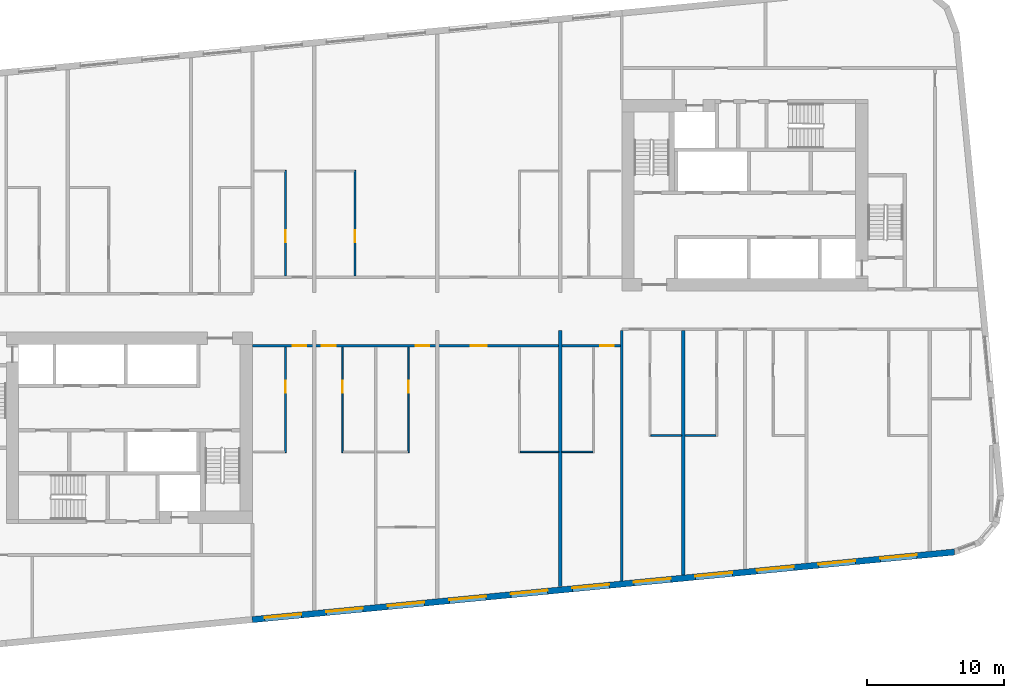
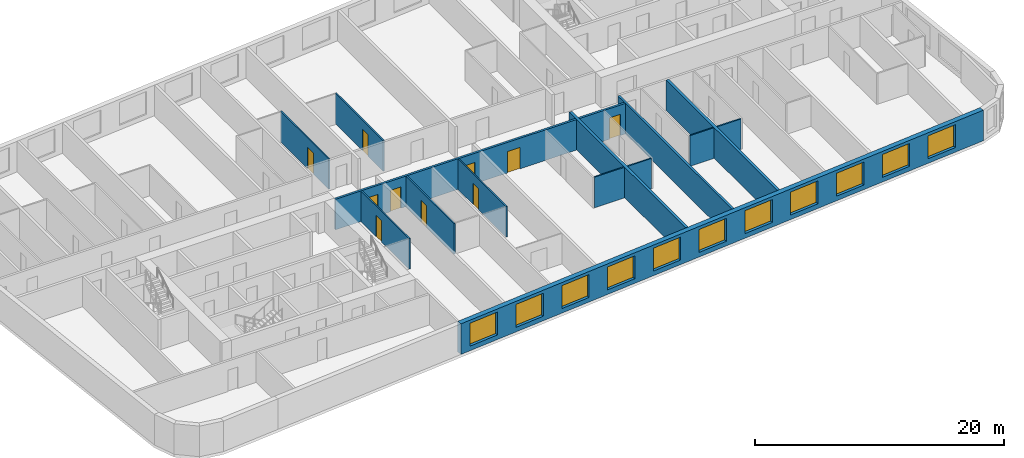
# One storey, part 4 of 12: 14 walls, 11 windows, 10 doors, 21 openings.
"""IFC4 building model written with IfcOpenShell, lengths in metres."""

from ifc_helpers import new_model, si_unit, direction, frame, frame_2d, origin, place, context, subcontext, project, spatial, rectangle, extrude, material, layer, layer_set, type_object, element, fill, save


model = new_model("IFC4")

# Units and contexts
model_context = context("Model", 3, precision=1e-05, world=origin(), true_north=direction((0.0, 1.0)))
body_context = subcontext(model_context, "Body", "Model", "MODEL_VIEW")
ifc_project = project(units=[si_unit("LENGTHUNIT", "METRE"), si_unit("AREAUNIT", "SQUARE_METRE"), si_unit("VOLUMEUNIT", "CUBIC_METRE"), si_unit("PLANEANGLEUNIT", "RADIAN"), si_unit("MASSUNIT", "GRAM", prefix="KILO")], contexts=[model_context])

# Site, building, storey
site_placement = place(None, origin())
site = spatial("IfcSite", under=ifc_project, at=site_placement, CompositionType="ELEMENT")
building_placement = place(site_placement, origin())
building = spatial("IfcBuilding", under=site, at=building_placement, Name="Kajstack Hotel Tower", CompositionType="ELEMENT")
storey_placement = place(building_placement, frame((0.0, 0.0, 203.199951171875)))
storey = spatial("IfcBuildingStorey", under=building, at=storey_placement, Name="L49", CompositionType="ELEMENT", Elevation=203.199951171875)

# Wall, openings, doors
ifc_material_1 = material(Name="Gypsum board on steel studs, mineral wool", Category="steel")
ifc_layer_1 = layer(ifc_material_1, 0.199951171875)
ifc_layer_set_1 = layer_set([ifc_layer_1], Name="Corridor wall 200")
wall_type_1 = type_object("IfcWallType", Name="Corridor wall 200", PredefinedType="PARTITIONING", material=ifc_layer_set_1)
wall_1_placement = place(storey_placement, frame((-13.5, -2.5, 0.0), z_axis=(0.0, 0.0, 1.0), x_axis=(1.0, 0.0, 0.0)))
wall_1 = element("IfcWall", 1, at=wall_1_placement, inside=storey, type_object=wall_type_1, Name="G-wall-L49-028", PredefinedType="PARTITIONING", context=body_context, shape_type="SweptSolid", body=[
    extrude(rectangle(XDim=27.0, YDim=0.199951171875, at=frame_2d((13.5, 0.0))), origin(), (0.0, 0.0, 1.0), 3.0),
])
opening_1_placement = place(wall_1_placement, frame((2.925048828125, 0.0, 0.0)))
opening_1 = element("IfcOpeningElement", 2, at=opening_1_placement, cuts=wall_1, Name="Opening 49021", PredefinedType="OPENING", context=body_context, shape_type="SweptSolid", body=[
    extrude(rectangle(XDim=1.0, YDim=2.10009765625, at=frame_2d((0.5, 1.050048828125))), frame((0.0, 0.10986328125, 0.0), z_axis=(0.0, -1.0, 0.0), x_axis=(1.0, 0.0, 0.0)), (0.0, 0.0, 1.0), 0.219970703125),
])
opening_2_placement = place(wall_1_placement, frame((5.074951171875, 0.0, 0.0)))
opening_2 = element("IfcOpeningElement", 3, at=opening_2_placement, cuts=wall_1, Name="Opening 49023", PredefinedType="OPENING", context=body_context, shape_type="SweptSolid", body=[
    extrude(rectangle(XDim=1.0, YDim=2.10009765625, at=frame_2d((0.5, 1.050048828125))), frame((0.0, 0.10986328125, 0.0), z_axis=(0.0, -1.0, 0.0), x_axis=(1.0, 0.0, 0.0)), (0.0, 0.0, 1.0), 0.219970703125),
])
opening_3_placement = place(wall_1_placement, frame((11.925048828125, 0.0, 0.0)))
opening_3 = element("IfcOpeningElement", 4, at=opening_3_placement, cuts=wall_1, Name="Opening 49025", PredefinedType="OPENING", context=body_context, shape_type="SweptSolid", body=[
    extrude(rectangle(XDim=1.0, YDim=2.10009765625, at=frame_2d((0.5, 1.050048828125))), frame((0.0, 0.10986328125, 0.0), z_axis=(0.0, -1.0, 0.0), x_axis=(1.0, 0.0, 0.0)), (0.0, 0.0, 1.0), 0.219970703125),
])
opening_4_placement = place(wall_1_placement, frame((15.93798828125, 0.0, 0.0)))
opening_4 = element("IfcOpeningElement", 5, at=opening_4_placement, cuts=wall_1, Name="Opening 49028", PredefinedType="OPENING", context=body_context, shape_type="SweptSolid", body=[
    extrude(rectangle(XDim=1.199951171875, YDim=2.10009765625, at=frame_2d((0.60009765625, 1.050048828125))), frame((0.0, 0.10986328125, 0.0), z_axis=(0.0, -1.0, 0.0), x_axis=(1.0, 0.0, 0.0)), (0.0, 0.0, 1.0), 0.219970703125),
])
opening_5_placement = place(wall_1_placement, frame((25.425048828125, 0.0, 0.0)))
opening_5 = element("IfcOpeningElement", 6, at=opening_5_placement, cuts=wall_1, Name="Opening 49030", PredefinedType="OPENING", context=body_context, shape_type="SweptSolid", body=[
    extrude(rectangle(XDim=1.0, YDim=2.10009765625, at=frame_2d((0.5, 1.050048828125))), frame((0.0, 0.10986328125, 0.0), z_axis=(0.0, -1.0, 0.0), x_axis=(1.0, 0.0, 0.0)), (0.0, 0.0, 1.0), 0.219970703125),
])
ifc_material_2 = material(Name="Oak veneer on timber core, fire-rated leaf", Category="wood")
door_type_1 = type_object("IfcDoorType", Name="Flat entrance door 1000", OperationType="SINGLE_SWING_LEFT", PredefinedType="DOOR", material=ifc_material_2)
door_1_placement = place(opening_1_placement, origin())
door_1 = element("IfcDoor", 7, at=door_1_placement, inside=storey, type_object=door_type_1, Name="G-door-L49-21", OperationType="SINGLE_SWING_LEFT", OverallHeight=2.10009765625, OverallWidth=1.0, PredefinedType="DOOR", context=body_context, shape_type="SweptSolid", body=[
    extrude(rectangle(XDim=1.0, YDim=2.10009765625, at=frame_2d((0.5, 1.050048828125))), frame((0.0, 0.02490234375, 0.0), z_axis=(0.0, -1.0, 0.0), x_axis=(1.0, 0.0, 0.0)), (0.0, 0.0, 1.0), 0.050048828125),
])
fill(opening_1, door_1)
door_2_placement = place(opening_2_placement, origin())
door_2 = element("IfcDoor", 8, at=door_2_placement, inside=storey, type_object=door_type_1, Name="G-door-L49-23", OperationType="SINGLE_SWING_RIGHT", OverallHeight=2.10009765625, OverallWidth=1.0, PredefinedType="DOOR", context=body_context, shape_type="SweptSolid", body=[
    extrude(rectangle(XDim=1.0, YDim=2.10009765625, at=frame_2d((0.5, 1.050048828125))), frame((0.0, 0.02490234375, 0.0), z_axis=(0.0, -1.0, 0.0), x_axis=(1.0, 0.0, 0.0)), (0.0, 0.0, 1.0), 0.050048828125),
])
fill(opening_2, door_2)
door_3_placement = place(opening_3_placement, origin())
door_3 = element("IfcDoor", 9, at=door_3_placement, inside=storey, type_object=door_type_1, Name="G-door-L49-25", OperationType="SINGLE_SWING_RIGHT", OverallHeight=2.10009765625, OverallWidth=1.0, PredefinedType="DOOR", context=body_context, shape_type="SweptSolid", body=[
    extrude(rectangle(XDim=1.0, YDim=2.10009765625, at=frame_2d((0.5, 1.050048828125))), frame((0.0, 0.02490234375, 0.0), z_axis=(0.0, -1.0, 0.0), x_axis=(1.0, 0.0, 0.0)), (0.0, 0.0, 1.0), 0.050048828125),
])
fill(opening_3, door_3)
door_4_placement = place(opening_5_placement, origin())
door_4 = element("IfcDoor", 10, at=door_4_placement, inside=storey, type_object=door_type_1, Name="G-door-L49-30", OperationType="SINGLE_SWING_RIGHT", OverallHeight=2.10009765625, OverallWidth=1.0, PredefinedType="DOOR", context=body_context, shape_type="SweptSolid", body=[
    extrude(rectangle(XDim=1.0, YDim=2.10009765625, at=frame_2d((0.5, 1.050048828125))), frame((0.0, 0.02490234375, 0.0), z_axis=(0.0, -1.0, 0.0), x_axis=(1.0, 0.0, 0.0)), (0.0, 0.0, 1.0), 0.050048828125),
])
fill(opening_5, door_4)
door_type_2 = type_object("IfcDoorType", Name="Flat entrance door 1200", OperationType="SINGLE_SWING_LEFT", PredefinedType="DOOR", material=ifc_material_2)
door_5_placement = place(opening_4_placement, origin())
door_5 = element("IfcDoor", 11, at=door_5_placement, inside=storey, type_object=door_type_2, Name="G-door-L49-28", OperationType="SINGLE_SWING_RIGHT", OverallHeight=2.10009765625, OverallWidth=1.199951171875, PredefinedType="DOOR", context=body_context, shape_type="SweptSolid", body=[
    extrude(rectangle(XDim=1.199951171875, YDim=2.10009765625, at=frame_2d((0.60009765625, 1.050048828125))), frame((0.0, 0.02490234375, 0.0), z_axis=(0.0, -1.0, 0.0), x_axis=(1.0, 0.0, 0.0)), (0.0, 0.0, 1.0), 0.050048828125),
])
fill(opening_4, door_5)

# Wall
ifc_material_3 = material(Name="Twin-frame gypsum board on steel studs, mineral wool", Category="steel")
ifc_layer_2 = layer(ifc_material_3, 0.199951171875)
ifc_layer_set_2 = layer_set([ifc_layer_2], Name="Demising wall 200")
wall_type_2 = type_object("IfcWallType", Name="Demising wall 200", PredefinedType="PARTITIONING", material=ifc_layer_set_2)
wall_2_placement = place(storey_placement, frame((13.5, -19.700927734375, 0.0), z_axis=(0.0, 0.0, 1.0), x_axis=(0.0, 1.0, 0.0)))
element("IfcWall", 12, at=wall_2_placement, inside=storey, type_object=wall_type_2, Name="G-wall-L49-040", PredefinedType="PARTITIONING", context=body_context, shape_type="SweptSolid", body=[
    extrude(rectangle(XDim=18.301025390625, YDim=0.199951171875, at=frame_2d((9.150390625, 0.0))), origin(), (0.0, 0.0, 1.0), 3.0),
])

# Wall, openings, windows
ifc_material_4 = material(Name="Terracotta-faced brick masonry", Category="masonry")
ifc_layer_3 = layer(ifc_material_4, 0.449951171875)
ifc_layer_set_3 = layer_set([ifc_layer_3], Name="EW-TERRA")
wall_type_3 = type_object("IfcWallType", Name="EW-TERRA", PredefinedType="SOLIDWALL", material=ifc_layer_set_3)
wall_3_placement = place(storey_placement, frame((-13.521484375, -22.528564453125, 0.0), z_axis=(0.0, 0.0, 1.0), x_axis=(0.995396436651, 0.095843277819, 0.0)))
wall_3 = element("IfcWall", 13, at=wall_3_placement, inside=storey, type_object=wall_type_3, Name="E-wall-L49-04-02", PredefinedType="SOLIDWALL", context=body_context, shape_type="SweptSolid", body=[
    extrude(rectangle(XDim=51.57763671875, YDim=0.449951171875, at=frame_2d((25.788818359375, 0.0))), origin(), (0.0, 0.0, 1.0), 3.0),
])
opening_6_placement = place(wall_3_placement, frame((0.910400390625, 0.0, 0.449951171875)))
opening_6 = element("IfcOpeningElement", 14, at=opening_6_placement, cuts=wall_3, Name="Opening W1", PredefinedType="OPENING", context=body_context, shape_type="SweptSolid", body=[
    extrude(rectangle(XDim=2.699951171875, YDim=2.25, at=frame_2d((1.35009765625, 1.125))), frame((0.0, 0.23486328125, 0.0), z_axis=(0.0, -1.0, 0.0), x_axis=(1.0, 0.0, 0.0)), (0.0, 0.0, 1.0), 0.469970703125),
])
opening_7_placement = place(wall_3_placement, frame((5.431396484375, 0.0, 0.449951171875)))
opening_7 = element("IfcOpeningElement", 15, at=opening_7_placement, cuts=wall_3, Name="Opening W1", PredefinedType="OPENING", context=body_context, shape_type="SweptSolid", body=[
    extrude(rectangle(XDim=2.699951171875, YDim=2.25, at=frame_2d((1.35009765625, 1.125))), frame((0.0, 0.23486328125, 0.0), z_axis=(0.0, -1.0, 0.0), x_axis=(1.0, 0.0, 0.0)), (0.0, 0.0, 1.0), 0.469970703125),
])
opening_8_placement = place(wall_3_placement, frame((9.9521484375, 0.0, 0.449951171875)))
opening_8 = element("IfcOpeningElement", 16, at=opening_8_placement, cuts=wall_3, Name="Opening W1", PredefinedType="OPENING", context=body_context, shape_type="SweptSolid", body=[
    extrude(rectangle(XDim=2.699951171875, YDim=2.25, at=frame_2d((1.35009765625, 1.125))), frame((0.0, 0.23486328125, 0.0), z_axis=(0.0, -1.0, 0.0), x_axis=(1.0, 0.0, 0.0)), (0.0, 0.0, 1.0), 0.469970703125),
])
opening_9_placement = place(wall_3_placement, frame((14.472900390625, 0.0, 0.449951171875)))
opening_9 = element("IfcOpeningElement", 17, at=opening_9_placement, cuts=wall_3, Name="Opening W1", PredefinedType="OPENING", context=body_context, shape_type="SweptSolid", body=[
    extrude(rectangle(XDim=2.699951171875, YDim=2.25, at=frame_2d((1.35009765625, 1.125))), frame((0.0, 0.23486328125, 0.0), z_axis=(0.0, -1.0, 0.0), x_axis=(1.0, 0.0, 0.0)), (0.0, 0.0, 1.0), 0.469970703125),
])
opening_10_placement = place(wall_3_placement, frame((18.99365234375, 0.0, 0.449951171875)))
opening_10 = element("IfcOpeningElement", 18, at=opening_10_placement, cuts=wall_3, Name="Opening W1", PredefinedType="OPENING", context=body_context, shape_type="SweptSolid", body=[
    extrude(rectangle(XDim=2.699951171875, YDim=2.25, at=frame_2d((1.35009765625, 1.125))), frame((0.0, 0.23486328125, 0.0), z_axis=(0.0, -1.0, 0.0), x_axis=(1.0, 0.0, 0.0)), (0.0, 0.0, 1.0), 0.469970703125),
])
opening_11_placement = place(wall_3_placement, frame((23.514404296875, 0.0, 0.449951171875)))
opening_11 = element("IfcOpeningElement", 19, at=opening_11_placement, cuts=wall_3, Name="Opening W1", PredefinedType="OPENING", context=body_context, shape_type="SweptSolid", body=[
    extrude(rectangle(XDim=2.699951171875, YDim=2.25, at=frame_2d((1.35009765625, 1.125))), frame((0.0, 0.23486328125, 0.0), z_axis=(0.0, -1.0, 0.0), x_axis=(1.0, 0.0, 0.0)), (0.0, 0.0, 1.0), 0.469970703125),
])
opening_12_placement = place(wall_3_placement, frame((28.035400390625, 0.0, 0.449951171875)))
opening_12 = element("IfcOpeningElement", 20, at=opening_12_placement, cuts=wall_3, Name="Opening W1", PredefinedType="OPENING", context=body_context, shape_type="SweptSolid", body=[
    extrude(rectangle(XDim=2.699951171875, YDim=2.25, at=frame_2d((1.35009765625, 1.125))), frame((0.0, 0.23486328125, 0.0), z_axis=(0.0, -1.0, 0.0), x_axis=(1.0, 0.0, 0.0)), (0.0, 0.0, 1.0), 0.469970703125),
])
opening_13_placement = place(wall_3_placement, frame((32.55615234375, 0.0, 0.449951171875)))
opening_13 = element("IfcOpeningElement", 21, at=opening_13_placement, cuts=wall_3, Name="Opening W1", PredefinedType="OPENING", context=body_context, shape_type="SweptSolid", body=[
    extrude(rectangle(XDim=2.699951171875, YDim=2.25, at=frame_2d((1.35009765625, 1.125))), frame((0.0, 0.23486328125, 0.0), z_axis=(0.0, -1.0, 0.0), x_axis=(1.0, 0.0, 0.0)), (0.0, 0.0, 1.0), 0.469970703125),
])
opening_14_placement = place(wall_3_placement, frame((37.076904296875, 0.0, 0.449951171875)))
opening_14 = element("IfcOpeningElement", 22, at=opening_14_placement, cuts=wall_3, Name="Opening W1", PredefinedType="OPENING", context=body_context, shape_type="SweptSolid", body=[
    extrude(rectangle(XDim=2.699951171875, YDim=2.25, at=frame_2d((1.35009765625, 1.125))), frame((0.0, 0.23486328125, 0.0), z_axis=(0.0, -1.0, 0.0), x_axis=(1.0, 0.0, 0.0)), (0.0, 0.0, 1.0), 0.469970703125),
])
opening_15_placement = place(wall_3_placement, frame((41.597900390625, 0.0, 0.449951171875)))
opening_15 = element("IfcOpeningElement", 23, at=opening_15_placement, cuts=wall_3, Name="Opening W1", PredefinedType="OPENING", context=body_context, shape_type="SweptSolid", body=[
    extrude(rectangle(XDim=2.699951171875, YDim=2.25, at=frame_2d((1.35009765625, 1.125))), frame((0.0, 0.23486328125, 0.0), z_axis=(0.0, -1.0, 0.0), x_axis=(1.0, 0.0, 0.0)), (0.0, 0.0, 1.0), 0.469970703125),
])
opening_16_placement = place(wall_3_placement, frame((46.11865234375, 0.0, 0.449951171875)))
opening_16 = element("IfcOpeningElement", 24, at=opening_16_placement, cuts=wall_3, Name="Opening W1", PredefinedType="OPENING", context=body_context, shape_type="SweptSolid", body=[
    extrude(rectangle(XDim=2.699951171875, YDim=2.25, at=frame_2d((1.35009765625, 1.125))), frame((0.0, 0.23486328125, 0.0), z_axis=(0.0, -1.0, 0.0), x_axis=(1.0, 0.0, 0.0)), (0.0, 0.0, 1.0), 0.469970703125),
])
ifc_material_5 = material(Name="Timber-aluminium window, triple glazed", Category="wood")
window_type = type_object("IfcWindowType", Name="WG1", PartitioningType="SINGLE_PANEL", PredefinedType="WINDOW", material=ifc_material_5)
window_1_placement = place(opening_6_placement, origin())
window_1 = element("IfcWindow", 25, at=window_1_placement, inside=storey, type_object=window_type, Name="Window W1 L49-04", OverallHeight=2.25, OverallWidth=2.699951171875, PartitioningType="SINGLE_PANEL", PredefinedType="WINDOW", context=body_context, shape_type="SweptSolid", body=[
    extrude(rectangle(XDim=2.699951171875, YDim=2.25, at=frame_2d((1.35009765625, 1.125))), frame((0.0, 0.090087890625, 0.0), z_axis=(0.0, -1.0, 0.0), x_axis=(1.0, 0.0, 0.0)), (0.0, 0.0, 1.0), 0.06005859375),
])
fill(opening_6, window_1)
window_2_placement = place(opening_7_placement, origin())
window_2 = element("IfcWindow", 26, at=window_2_placement, inside=storey, type_object=window_type, Name="Window W1 L49-04", OverallHeight=2.25, OverallWidth=2.699951171875, PartitioningType="SINGLE_PANEL", PredefinedType="WINDOW", context=body_context, shape_type="SweptSolid", body=[
    extrude(rectangle(XDim=2.699951171875, YDim=2.25, at=frame_2d((1.35009765625, 1.125))), frame((0.0, 0.090087890625, 0.0), z_axis=(0.0, -1.0, 0.0), x_axis=(1.0, 0.0, 0.0)), (0.0, 0.0, 1.0), 0.06005859375),
])
fill(opening_7, window_2)
window_3_placement = place(opening_8_placement, origin())
window_3 = element("IfcWindow", 27, at=window_3_placement, inside=storey, type_object=window_type, Name="Window W1 L49-04", OverallHeight=2.25, OverallWidth=2.699951171875, PartitioningType="SINGLE_PANEL", PredefinedType="WINDOW", context=body_context, shape_type="SweptSolid", body=[
    extrude(rectangle(XDim=2.699951171875, YDim=2.25, at=frame_2d((1.35009765625, 1.125))), frame((0.0, 0.090087890625, 0.0), z_axis=(0.0, -1.0, 0.0), x_axis=(1.0, 0.0, 0.0)), (0.0, 0.0, 1.0), 0.06005859375),
])
fill(opening_8, window_3)
window_4_placement = place(opening_9_placement, origin())
window_4 = element("IfcWindow", 28, at=window_4_placement, inside=storey, type_object=window_type, Name="Window W1 L49-04", OverallHeight=2.25, OverallWidth=2.699951171875, PartitioningType="SINGLE_PANEL", PredefinedType="WINDOW", context=body_context, shape_type="SweptSolid", body=[
    extrude(rectangle(XDim=2.699951171875, YDim=2.25, at=frame_2d((1.35009765625, 1.125))), frame((0.0, 0.090087890625, 0.0), z_axis=(0.0, -1.0, 0.0), x_axis=(1.0, 0.0, 0.0)), (0.0, 0.0, 1.0), 0.06005859375),
])
fill(opening_9, window_4)
window_5_placement = place(opening_10_placement, origin())
window_5 = element("IfcWindow", 29, at=window_5_placement, inside=storey, type_object=window_type, Name="Window W1 L49-04", OverallHeight=2.25, OverallWidth=2.699951171875, PartitioningType="SINGLE_PANEL", PredefinedType="WINDOW", context=body_context, shape_type="SweptSolid", body=[
    extrude(rectangle(XDim=2.699951171875, YDim=2.25, at=frame_2d((1.35009765625, 1.125))), frame((0.0, 0.090087890625, 0.0), z_axis=(0.0, -1.0, 0.0), x_axis=(1.0, 0.0, 0.0)), (0.0, 0.0, 1.0), 0.06005859375),
])
fill(opening_10, window_5)
window_6_placement = place(opening_11_placement, origin())
window_6 = element("IfcWindow", 30, at=window_6_placement, inside=storey, type_object=window_type, Name="Window W1 L49-04", OverallHeight=2.25, OverallWidth=2.699951171875, PartitioningType="SINGLE_PANEL", PredefinedType="WINDOW", context=body_context, shape_type="SweptSolid", body=[
    extrude(rectangle(XDim=2.699951171875, YDim=2.25, at=frame_2d((1.35009765625, 1.125))), frame((0.0, 0.090087890625, 0.0), z_axis=(0.0, -1.0, 0.0), x_axis=(1.0, 0.0, 0.0)), (0.0, 0.0, 1.0), 0.06005859375),
])
fill(opening_11, window_6)
window_7_placement = place(opening_12_placement, origin())
window_7 = element("IfcWindow", 31, at=window_7_placement, inside=storey, type_object=window_type, Name="Window W1 L49-04", OverallHeight=2.25, OverallWidth=2.699951171875, PartitioningType="SINGLE_PANEL", PredefinedType="WINDOW", context=body_context, shape_type="SweptSolid", body=[
    extrude(rectangle(XDim=2.699951171875, YDim=2.25, at=frame_2d((1.35009765625, 1.125))), frame((0.0, 0.090087890625, 0.0), z_axis=(0.0, -1.0, 0.0), x_axis=(1.0, 0.0, 0.0)), (0.0, 0.0, 1.0), 0.06005859375),
])
fill(opening_12, window_7)
window_8_placement = place(opening_13_placement, origin())
window_8 = element("IfcWindow", 32, at=window_8_placement, inside=storey, type_object=window_type, Name="Window W1 L49-04", OverallHeight=2.25, OverallWidth=2.699951171875, PartitioningType="SINGLE_PANEL", PredefinedType="WINDOW", context=body_context, shape_type="SweptSolid", body=[
    extrude(rectangle(XDim=2.699951171875, YDim=2.25, at=frame_2d((1.35009765625, 1.125))), frame((0.0, 0.090087890625, 0.0), z_axis=(0.0, -1.0, 0.0), x_axis=(1.0, 0.0, 0.0)), (0.0, 0.0, 1.0), 0.06005859375),
])
fill(opening_13, window_8)
window_9_placement = place(opening_14_placement, origin())
window_9 = element("IfcWindow", 33, at=window_9_placement, inside=storey, type_object=window_type, Name="Window W1 L49-04", OverallHeight=2.25, OverallWidth=2.699951171875, PartitioningType="SINGLE_PANEL", PredefinedType="WINDOW", context=body_context, shape_type="SweptSolid", body=[
    extrude(rectangle(XDim=2.699951171875, YDim=2.25, at=frame_2d((1.35009765625, 1.125))), frame((0.0, 0.090087890625, 0.0), z_axis=(0.0, -1.0, 0.0), x_axis=(1.0, 0.0, 0.0)), (0.0, 0.0, 1.0), 0.06005859375),
])
fill(opening_14, window_9)
window_10_placement = place(opening_15_placement, origin())
window_10 = element("IfcWindow", 34, at=window_10_placement, inside=storey, type_object=window_type, Name="Window W1 L49-04", OverallHeight=2.25, OverallWidth=2.699951171875, PartitioningType="SINGLE_PANEL", PredefinedType="WINDOW", context=body_context, shape_type="SweptSolid", body=[
    extrude(rectangle(XDim=2.699951171875, YDim=2.25, at=frame_2d((1.35009765625, 1.125))), frame((0.0, 0.090087890625, 0.0), z_axis=(0.0, -1.0, 0.0), x_axis=(1.0, 0.0, 0.0)), (0.0, 0.0, 1.0), 0.06005859375),
])
fill(opening_15, window_10)
window_11_placement = place(opening_16_placement, origin())
window_11 = element("IfcWindow", 35, at=window_11_placement, inside=storey, type_object=window_type, Name="Window W1 L49-04", OverallHeight=2.25, OverallWidth=2.699951171875, PartitioningType="SINGLE_PANEL", PredefinedType="WINDOW", context=body_context, shape_type="SweptSolid", body=[
    extrude(rectangle(XDim=2.699951171875, YDim=2.25, at=frame_2d((1.35009765625, 1.125))), frame((0.0, 0.090087890625, 0.0), z_axis=(0.0, -1.0, 0.0), x_axis=(1.0, 0.0, 0.0)), (0.0, 0.0, 1.0), 0.06005859375),
])
fill(opening_16, window_11)

# Wall, opening, door
ifc_material_6 = material(Name="Gypsum board and tiled backer on steel studs", Category="steel")
ifc_layer_4 = layer(ifc_material_6, 0.125)
ifc_layer_set_4 = layer_set([ifc_layer_4], Name="En-suite wall 125")
wall_type_4 = type_object("IfcWallType", Name="En-suite wall 125", PredefinedType="PARTITIONING", material=ifc_layer_set_4)
wall_4_placement = place(storey_placement, frame((-11.087890625, 2.60009765625, 0.0), z_axis=(0.0, 0.0, 1.0), x_axis=(0.0, 1.0, 0.0)))
wall_4 = element("IfcWall", 36, at=wall_4_placement, inside=storey, type_object=wall_type_4, Name="G-wall-L49-020", PredefinedType="PARTITIONING", context=body_context, shape_type="SweptSolid", body=[
    extrude(rectangle(XDim=7.724853515625, YDim=0.125, at=frame_2d((3.8623046875, 0.0))), origin(), (0.0, 0.0, 1.0), 3.0),
])
opening_17_placement = place(wall_4_placement, frame((2.449951171875, 0.0, 0.0)))
opening_17 = element("IfcOpeningElement", 37, at=opening_17_placement, cuts=wall_4, Name="Opening 49014", PredefinedType="OPENING", context=body_context, shape_type="SweptSolid", body=[
    extrude(rectangle(XDim=0.89990234375, YDim=2.10009765625, at=frame_2d((0.449951171875, 1.050048828125))), frame((0.0, 0.072509765625, 0.0), z_axis=(0.0, -1.0, 0.0), x_axis=(1.0, 0.0, 0.0)), (0.0, 0.0, 1.0), 0.14501953125),
])
ifc_material_7 = material(Name="Painted timber door leaf", Category="wood")
door_type_3 = type_object("IfcDoorType", Name="Room door 900", OperationType="SINGLE_SWING_LEFT", PredefinedType="DOOR", material=ifc_material_7)
door_6_placement = place(opening_17_placement, origin())
door_6 = element("IfcDoor", 38, at=door_6_placement, inside=storey, type_object=door_type_3, Name="G-door-L49-14", OperationType="SINGLE_SWING_RIGHT", OverallHeight=2.10009765625, OverallWidth=0.89990234375, PredefinedType="DOOR", context=body_context, shape_type="SweptSolid", body=[
    extrude(rectangle(XDim=0.89990234375, YDim=2.10009765625, at=frame_2d((0.449951171875, 1.050048828125))), frame((0.0, 0.02490234375, 0.0), z_axis=(0.0, -1.0, 0.0), x_axis=(1.0, 0.0, 0.0)), (0.0, 0.0, 1.0), 0.050048828125),
])
fill(opening_17, door_6)

wall_5_placement = place(storey_placement, frame((-6.012939453125, 2.60009765625, 0.0), z_axis=(0.0, 0.0, 1.0), x_axis=(0.0, 1.0, 0.0)))
wall_5 = element("IfcWall", 39, at=wall_5_placement, inside=storey, type_object=wall_type_4, Name="G-wall-L49-022", PredefinedType="PARTITIONING", context=body_context, shape_type="SweptSolid", body=[
    extrude(rectangle(XDim=7.724853515625, YDim=0.125, at=frame_2d((3.8623046875, 0.0))), origin(), (0.0, 0.0, 1.0), 3.0),
])
opening_18_placement = place(wall_5_placement, frame((2.449951171875, 0.0, 0.0)))
opening_18 = element("IfcOpeningElement", 40, at=opening_18_placement, cuts=wall_5, Name="Opening 49016", PredefinedType="OPENING", context=body_context, shape_type="SweptSolid", body=[
    extrude(rectangle(XDim=0.89990234375, YDim=2.10009765625, at=frame_2d((0.449951171875, 1.050048828125))), frame((0.0, 0.072509765625, 0.0), z_axis=(0.0, -1.0, 0.0), x_axis=(1.0, 0.0, 0.0)), (0.0, 0.0, 1.0), 0.14501953125),
])
door_7_placement = place(opening_18_placement, origin())
door_7 = element("IfcDoor", 41, at=door_7_placement, inside=storey, type_object=door_type_3, Name="G-door-L49-16", OperationType="SINGLE_SWING_LEFT", OverallHeight=2.10009765625, OverallWidth=0.89990234375, PredefinedType="DOOR", context=body_context, shape_type="SweptSolid", body=[
    extrude(rectangle(XDim=0.89990234375, YDim=2.10009765625, at=frame_2d((0.449951171875, 1.050048828125))), frame((0.0, 0.02490234375, 0.0), z_axis=(0.0, -1.0, 0.0), x_axis=(1.0, 0.0, 0.0)), (0.0, 0.0, 1.0), 0.050048828125),
])
fill(opening_18, door_7)

wall_6_placement = place(storey_placement, frame((-11.087890625, -10.324951171875, 0.0), z_axis=(0.0, 0.0, 1.0), x_axis=(0.0, 1.0, 0.0)))
wall_6 = element("IfcWall", 42, at=wall_6_placement, inside=storey, type_object=wall_type_4, Name="G-wall-L49-030", PredefinedType="PARTITIONING", context=body_context, shape_type="SweptSolid", body=[
    extrude(rectangle(XDim=7.724853515625, YDim=0.125, at=frame_2d((3.8623046875, 0.0))), origin(), (0.0, 0.0, 1.0), 3.0),
])
opening_19_placement = place(wall_6_placement, frame((4.375, 0.0, 0.0)))
opening_19 = element("IfcOpeningElement", 43, at=opening_19_placement, cuts=wall_6, Name="Opening 49022", PredefinedType="OPENING", context=body_context, shape_type="SweptSolid", body=[
    extrude(rectangle(XDim=0.89990234375, YDim=2.10009765625, at=frame_2d((0.449951171875, 1.050048828125))), frame((0.0, 0.072509765625, 0.0), z_axis=(0.0, -1.0, 0.0), x_axis=(1.0, 0.0, 0.0)), (0.0, 0.0, 1.0), 0.14501953125),
])
door_8_placement = place(opening_19_placement, origin())
door_8 = element("IfcDoor", 44, at=door_8_placement, inside=storey, type_object=door_type_3, Name="G-door-L49-22", OperationType="SINGLE_SWING_RIGHT", OverallHeight=2.10009765625, OverallWidth=0.89990234375, PredefinedType="DOOR", context=body_context, shape_type="SweptSolid", body=[
    extrude(rectangle(XDim=0.89990234375, YDim=2.10009765625, at=frame_2d((0.449951171875, 1.050048828125))), frame((0.0, 0.02490234375, 0.0), z_axis=(0.0, -1.0, 0.0), x_axis=(1.0, 0.0, 0.0)), (0.0, 0.0, 1.0), 0.050048828125),
])
fill(opening_19, door_8)

wall_7_placement = place(storey_placement, frame((-6.912109375, -10.324951171875, 0.0), z_axis=(0.0, 0.0, 1.0), x_axis=(0.0, 1.0, 0.0)))
wall_7 = element("IfcWall", 45, at=wall_7_placement, inside=storey, type_object=wall_type_4, Name="G-wall-L49-033", PredefinedType="PARTITIONING", context=body_context, shape_type="SweptSolid", body=[
    extrude(rectangle(XDim=7.724853515625, YDim=0.125, at=frame_2d((3.8623046875, 0.0))), origin(), (0.0, 0.0, 1.0), 3.0),
])
opening_20_placement = place(wall_7_placement, frame((4.375, 0.0, 0.0)))
opening_20 = element("IfcOpeningElement", 46, at=opening_20_placement, cuts=wall_7, Name="Opening 49024", PredefinedType="OPENING", context=body_context, shape_type="SweptSolid", body=[
    extrude(rectangle(XDim=0.89990234375, YDim=2.10009765625, at=frame_2d((0.449951171875, 1.050048828125))), frame((0.0, 0.072509765625, 0.0), z_axis=(0.0, -1.0, 0.0), x_axis=(1.0, 0.0, 0.0)), (0.0, 0.0, 1.0), 0.14501953125),
])
door_9_placement = place(opening_20_placement, origin())
door_9 = element("IfcDoor", 47, at=door_9_placement, inside=storey, type_object=door_type_3, Name="G-door-L49-24", OperationType="SINGLE_SWING_RIGHT", OverallHeight=2.10009765625, OverallWidth=0.89990234375, PredefinedType="DOOR", context=body_context, shape_type="SweptSolid", body=[
    extrude(rectangle(XDim=0.89990234375, YDim=2.10009765625, at=frame_2d((0.449951171875, 1.050048828125))), frame((0.0, 0.02490234375, 0.0), z_axis=(0.0, -1.0, 0.0), x_axis=(1.0, 0.0, 0.0)), (0.0, 0.0, 1.0), 0.050048828125),
])
fill(opening_20, door_9)

wall_8_placement = place(storey_placement, frame((-2.0869140625, -10.324951171875, 0.0), z_axis=(0.0, 0.0, 1.0), x_axis=(0.0, 1.0, 0.0)))
wall_8 = element("IfcWall", 48, at=wall_8_placement, inside=storey, type_object=wall_type_4, Name="G-wall-L49-035", PredefinedType="PARTITIONING", context=body_context, shape_type="SweptSolid", body=[
    extrude(rectangle(XDim=7.724853515625, YDim=0.125, at=frame_2d((3.8623046875, 0.0))), origin(), (0.0, 0.0, 1.0), 3.0),
])
opening_21_placement = place(wall_8_placement, frame((4.375, 0.0, 0.0)))
opening_21 = element("IfcOpeningElement", 49, at=opening_21_placement, cuts=wall_8, Name="Opening 49026", PredefinedType="OPENING", context=body_context, shape_type="SweptSolid", body=[
    extrude(rectangle(XDim=0.89990234375, YDim=2.10009765625, at=frame_2d((0.449951171875, 1.050048828125))), frame((0.0, 0.072509765625, 0.0), z_axis=(0.0, -1.0, 0.0), x_axis=(1.0, 0.0, 0.0)), (0.0, 0.0, 1.0), 0.14501953125),
])
door_10_placement = place(opening_21_placement, origin())
door_10 = element("IfcDoor", 50, at=door_10_placement, inside=storey, type_object=door_type_3, Name="G-door-L49-26", OperationType="SINGLE_SWING_RIGHT", OverallHeight=2.10009765625, OverallWidth=0.89990234375, PredefinedType="DOOR", context=body_context, shape_type="SweptSolid", body=[
    extrude(rectangle(XDim=0.89990234375, YDim=2.10009765625, at=frame_2d((0.449951171875, 1.050048828125))), frame((0.0, 0.02490234375, 0.0), z_axis=(0.0, -1.0, 0.0), x_axis=(1.0, 0.0, 0.0)), (0.0, 0.0, 1.0), 0.050048828125),
])
fill(opening_21, door_10)

# Walls
wall_9_placement = place(storey_placement, frame((6.074951171875, -10.261962890625, 0.0), z_axis=(0.0, 0.0, 1.0), x_axis=(1.0, 0.0, 0.0)))
element("IfcWall", 51, at=wall_9_placement, inside=storey, type_object=wall_type_4, Name="G-wall-L49-039", PredefinedType="PARTITIONING", context=body_context, shape_type="SweptSolid", body=[
    extrude(rectangle(XDim=2.800048828125, YDim=0.125, at=frame_2d((1.39990234375, 0.0))), origin(), (0.0, 0.0, 1.0), 3.0),
])
for number, where, z_axis, x_axis, name in (
    (52, (9.125, -10.261962890625, 0.0), (0.0, 0.0, 1.0), (1.0, 0.0, 0.0), "G-wall-L49-042"),
    (53, (15.625, -9.06201171875, 0.0), (0.0, 0.0, 1.0), (1.0, 0.0, 0.0), "G-wall-L49-044"),
    (54, (18.125, -9.06201171875, 0.0), (0.0, 0.0, 1.0), (1.0, 0.0, 0.0), "G-wall-L49-047"),
):
    element("IfcWall", number, at=place(storey_placement, frame(where, z_axis=z_axis, x_axis=x_axis)), inside=storey, type_object=wall_type_4, Name=name, PredefinedType="PARTITIONING", context=body_context, shape_type="SweptSolid", body=[
        extrude(rectangle(XDim=2.25, YDim=0.125, at=frame_2d((1.125, 0.0))), origin(), (0.0, 0.0, 1.0), 3.0),
    ])
ifc_material_8 = material(Name="Concrete C50/60", Category="concrete")
ifc_layer_5 = layer(ifc_material_8, 0.25)
ifc_layer_set_5 = layer_set([ifc_layer_5], Name="RC cross wall 250 C50/60")
wall_type_5 = type_object("IfcWallType", Name="RC cross wall 250 C50/60", PredefinedType="SHEAR", material=ifc_layer_set_5)
wall_10_placement = place(storey_placement, frame((9.0, -20.11181640625, 0.0), z_axis=(0.0, 0.0, 1.0), x_axis=(0.0, 1.0, 0.0)))
element("IfcWall", 55, at=wall_10_placement, inside=storey, type_object=wall_type_5, Name="S-wall-L49-08", PredefinedType="SHEAR", context=body_context, shape_type="SweptSolid", body=[
    extrude(rectangle(XDim=18.7119140625, YDim=0.25, at=frame_2d((9.35595703125, 0.0))), origin(), (0.0, 0.0, 1.0), 3.0),
])
wall_11_placement = place(storey_placement, frame((18.0, -19.245361328125, 0.0), z_axis=(0.0, 0.0, 1.0), x_axis=(0.0, 1.0, 0.0)))
element("IfcWall", 56, at=wall_11_placement, inside=storey, type_object=wall_type_5, Name="S-wall-L49-10", PredefinedType="SHEAR", context=body_context, shape_type="SweptSolid", body=[
    extrude(rectangle(XDim=17.845458984375, YDim=0.25, at=frame_2d((8.9228515625, 0.0))), origin(), (0.0, 0.0, 1.0), 3.0),
])

save(model, "model.ifc")
